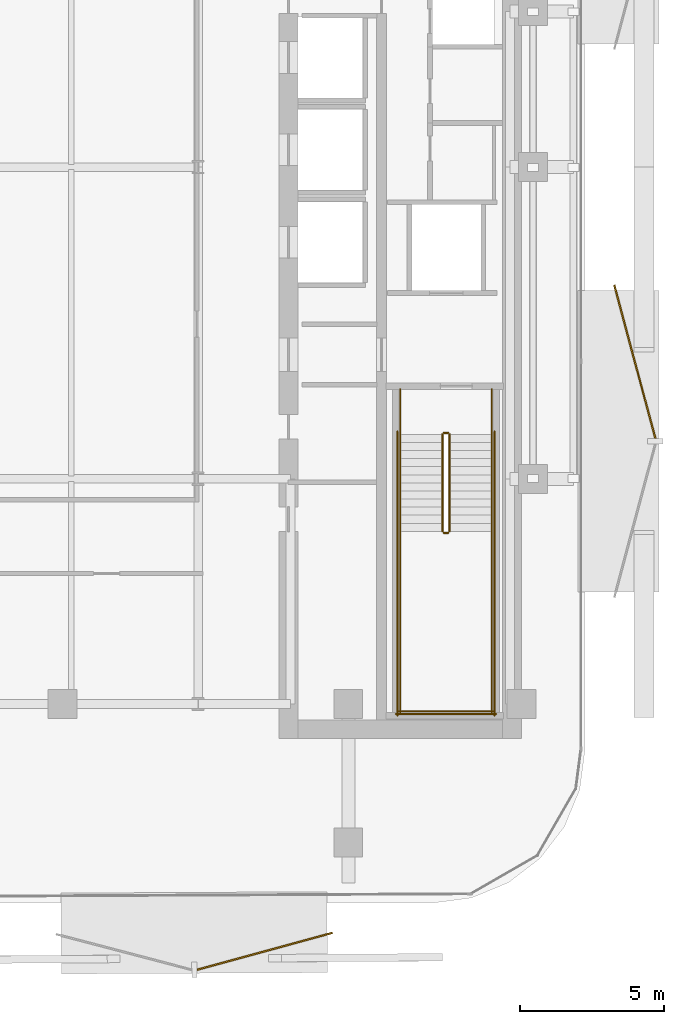
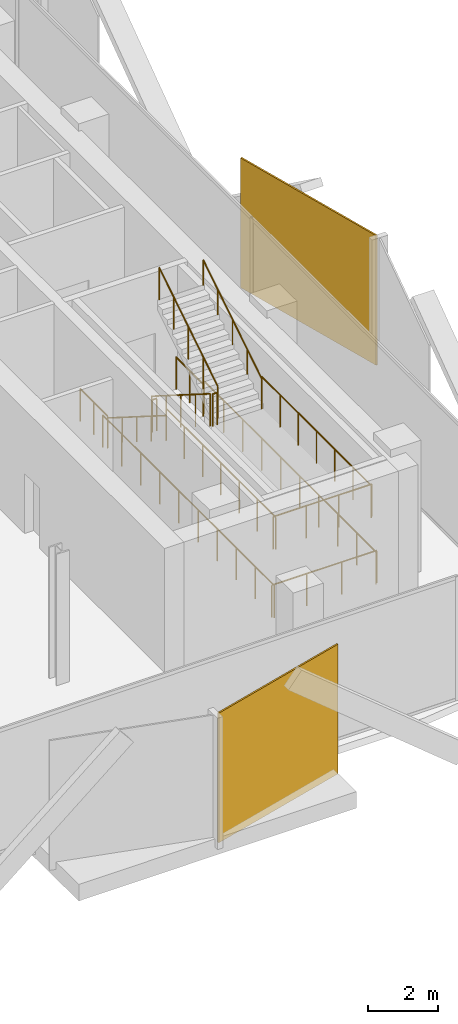
# One storey, part 12 of 14: 14 railings, 2 coverings.
"""IFC4 building model written with IfcOpenShell, lengths in metres."""

from ifc_helpers import new_model, si_unit, direction, frame, origin, origin_2d, place, context, subcontext, project, spatial, rectangle, circle, extrude, material, layer, layer_set, type_object, element, save


model = new_model("IFC4")

# Units and contexts
model_context = context("Model", 3, precision=1e-05, world=origin(), true_north=direction((0.0, 1.0)))
body_context = subcontext(model_context, "Body", "Model", "MODEL_VIEW")
ifc_project = project(units=[si_unit("LENGTHUNIT", "METRE"), si_unit("AREAUNIT", "SQUARE_METRE"), si_unit("VOLUMEUNIT", "CUBIC_METRE"), si_unit("PLANEANGLEUNIT", "RADIAN"), si_unit("MASSUNIT", "GRAM", prefix="KILO")], contexts=[model_context])

# Site, building, storey
site_placement = place(None, origin())
site = spatial("IfcSite", under=ifc_project, at=site_placement, CompositionType="ELEMENT")
building_placement = place(site_placement, origin())
building = spatial("IfcBuilding", under=site, at=building_placement, Name="Khairoan Windgate Tower", CompositionType="ELEMENT")
storey_placement = place(building_placement, frame((0.0, 0.0, 160.39990234375)))
storey = spatial("IfcBuildingStorey", under=building, at=storey_placement, Name="L36", CompositionType="ELEMENT", Elevation=160.39990234375)

# Coverings
ifc_material_1 = material(Name="Anodised Bronze Aluminium 6063-T6", Category="aluminium")
ifc_layer = layer(ifc_material_1, 0.054931640625, Name="Anodised Bronze Aluminium 6063-T6")
ifc_layer_set = layer_set([ifc_layer], Name="Anodised Bronze Aluminium 6063-T6")
covering_type = type_object("IfcCoveringType", Name="Perforated Bronze-Ceramic Folded Solar Screen Cladding BSC-1", PredefinedType="CLADDING", material=ifc_layer_set)
covering_1_placement = place(storey_placement, frame((11.5009765625, -27.169189453125, -0.099853515625), z_axis=(0.0, 0.0, 1.0), x_axis=(-0.964649468762, -0.263536339841, 0.0)))
element("IfcCovering", 1, at=covering_1_placement, inside=storey, type_object=covering_type, Name="L36 Folded Bronze Solar Screen Facet 225L", PredefinedType="CLADDING", context=body_context, shape_type="SweptSolid", body=[
    extrude(rectangle(XDim=4.861083984375, YDim=0.054931640625, at=origin_2d()), origin(), (0.0, 0.0, 1.0), 4.5400390625),
])
covering_2_placement = place(storey_placement, frame((24.327392578125, -6.74560546875, -0.099853515625), z_axis=(0.0, 0.0, 1.0), x_axis=(0.258819045103, -0.965925826289, 0.0)))
element("IfcCovering", 2, at=covering_2_placement, inside=storey, type_object=covering_type, Name="L36 Folded Bronze Solar Screen Facet 232L", PredefinedType="CLADDING", context=body_context, shape_type="SweptSolid", body=[
    extrude(rectangle(XDim=5.507080078125, YDim=0.054931640625, at=origin_2d()), origin(), (0.0, 0.0, 1.0), 4.5400390625),
])

# Railings
ifc_material_2 = material(Name="Anodised Bronze Aluminium 6063-T6", Category="aluminium")
railing_type_1 = type_object("IfcRailingType", Name="Stair Wall Handrail SHR-900", PredefinedType="HANDRAIL", material=ifc_material_2)
railing_1_placement = place(storey_placement, frame((16.199951171875, -9.260009765625, 0.177001953125)))
element("IfcRailing", 3, at=railing_1_placement, inside=storey, type_object=railing_type_1, Name="L36 ST1 stair handrail 1", PredefinedType="HANDRAIL", context=body_context, shape_type="SweptSolid", body=[
    extrude(circle(Radius=0.02392578125, at=origin_2d()), frame((0.0, 0.0, 0.8759765625), z_axis=(0.0, -0.845389635667, 0.534150132366), x_axis=(1.0, 0.0, 0.0)), (0.0, 0.0, 1.0), 3.974609375),
    extrude(circle(Radius=0.02099609375, at=origin_2d()), origin(), (0.0, 0.0, 1.0), 0.851806640625),
    extrude(circle(Radius=0.02099609375, at=origin_2d()), frame((0.0, -0.840087890625, 0.53076171875)), (0.0, 0.0, 1.0), 0.851806640625),
    extrude(circle(Radius=0.02099609375, at=origin_2d()), frame((0.0, -1.68017578125, 1.0615234375)), (0.0, 0.0, 1.0), 0.851806640625),
    extrude(circle(Radius=0.02099609375, at=origin_2d()), frame((0.0, -2.52001953125, 1.59228515625)), (0.0, 0.0, 1.0), 0.851806640625),
    extrude(circle(Radius=0.02099609375, at=origin_2d()), frame((0.0, -3.360107421875, 2.123046875)), (0.0, 0.0, 1.0), 0.851806640625),
])
railing_2_placement = place(storey_placement, frame((19.3701171875, -12.6201171875, 2.47705078125)))
element("IfcRailing", 4, at=railing_2_placement, inside=storey, type_object=railing_type_1, Name="L36 ST1 stair handrail 2", PredefinedType="HANDRAIL", context=body_context, shape_type="SweptSolid", body=[
    extrude(circle(Radius=0.02392578125, at=origin_2d()), frame((0.0, 0.0, 0.8759765625), z_axis=(0.0, 0.845389635667, 0.534150132366), x_axis=(-1.0, 0.0, 0.0)), (0.0, 0.0, 1.0), 3.974609375),
    extrude(circle(Radius=0.02099609375, at=origin_2d()), origin(), (0.0, 0.0, 1.0), 0.851806640625),
    extrude(circle(Radius=0.02099609375, at=origin_2d()), frame((0.0, 0.840087890625, 0.53076171875)), (0.0, 0.0, 1.0), 0.851806640625),
    extrude(circle(Radius=0.02099609375, at=origin_2d()), frame((0.0, 1.68017578125, 1.0615234375)), (0.0, 0.0, 1.0), 0.851806640625),
    extrude(circle(Radius=0.02099609375, at=origin_2d()), frame((0.0, 2.52001953125, 1.59228515625)), (0.0, 0.0, 1.0), 0.851806640625),
    extrude(circle(Radius=0.02099609375, at=origin_2d()), frame((0.0, 3.360107421875, 2.123046875)), (0.0, 0.0, 1.0), 0.851806640625),
])
ifc_material_3 = material(Name="Steel S355", Category="steel")
railing_type_2 = type_object("IfcRailingType", Name="Stairwell Safety Guardrail SGR-1150", PredefinedType="GUARDRAIL", material=ifc_material_3)
railing_3_placement = place(storey_placement, frame((17.659912109375, -9.260009765625, 0.177001953125)))
element("IfcRailing", 5, at=railing_3_placement, inside=storey, type_object=railing_type_2, Name="L36 ST1 stair guard 1", PredefinedType="GUARDRAIL", context=body_context, shape_type="SweptSolid", body=[
    extrude(circle(Radius=0.02392578125, at=origin_2d()), frame((0.0, 0.0, 1.1259765625), z_axis=(0.0, -0.845389635667, 0.534150132366), x_axis=(1.0, 0.0, 0.0)), (0.0, 0.0, 1.0), 3.974609375),
    extrude(circle(Radius=0.02099609375, at=origin_2d()), origin(), (0.0, 0.0, 1.0), 1.101806640625),
    extrude(circle(Radius=0.02099609375, at=origin_2d()), frame((0.0, -0.840087890625, 0.53076171875)), (0.0, 0.0, 1.0), 1.101806640625),
    extrude(circle(Radius=0.02099609375, at=origin_2d()), frame((0.0, -1.68017578125, 1.0615234375)), (0.0, 0.0, 1.0), 1.101806640625),
    extrude(circle(Radius=0.02099609375, at=origin_2d()), frame((0.0, -2.52001953125, 1.59228515625)), (0.0, 0.0, 1.0), 1.101806640625),
    extrude(circle(Radius=0.02099609375, at=origin_2d()), frame((0.0, -3.360107421875, 2.123046875)), (0.0, 0.0, 1.0), 1.101806640625),
])
railing_4_placement = place(storey_placement, frame((17.7099609375, -12.669921875, 2.300048828125)))
element("IfcRailing", 6, at=railing_4_placement, inside=storey, type_object=railing_type_2, Name="L36 ST1 stair guard 2", PredefinedType="GUARDRAIL", context=body_context, shape_type="SweptSolid", body=[
    extrude(circle(Radius=0.02392578125, at=origin_2d()), frame((0.0, 0.0, 1.1259765625), z_axis=(1.0, 0.0, 0.0), x_axis=(0.0, 1.0, 0.0)), (0.0, 0.0, 1.0), 0.150146484375),
    extrude(circle(Radius=0.02099609375, at=origin_2d()), origin(), (0.0, 0.0, 1.0), 1.101806640625),
    extrude(circle(Radius=0.02099609375, at=origin_2d()), frame((0.150146484375, 0.0, 0.0)), (0.0, 0.0, 1.0), 1.101806640625),
])
for number, where, name in (
    (7, (16.199951171875, -12.6201171875, 2.300048828125), "L36 ST1 stair guard 3"),
    (8, (19.3701171875, -12.6201171875, 2.300048828125), "L36 ST1 stair guard 4"),
):
    element("IfcRailing", number, at=place(storey_placement, frame(where)), inside=storey, type_object=railing_type_2, Name=name, PredefinedType="GUARDRAIL", context=body_context, shape_type="SweptSolid", body=[
        extrude(circle(Radius=0.02392578125, at=origin_2d()), frame((0.0, 0.0, 1.1259765625), z_axis=(0.0, -1.0, 0.0), x_axis=(1.0, 0.0, 0.0)), (0.0, 0.0, 1.0), 6.27978515625),
        extrude(circle(Radius=0.02099609375, at=origin_2d()), origin(), (0.0, 0.0, 1.0), 1.101806640625),
        extrude(circle(Radius=0.02099609375, at=origin_2d()), frame((0.0, -1.046630859375, 0.0)), (0.0, 0.0, 1.0), 1.101806640625),
        extrude(circle(Radius=0.02099609375, at=origin_2d()), frame((0.0, -2.09326171875, 0.0)), (0.0, 0.0, 1.0), 1.101806640625),
        extrude(circle(Radius=0.02099609375, at=origin_2d()), frame((0.0, -3.139892578125, 0.0)), (0.0, 0.0, 1.0), 1.101806640625),
        extrude(circle(Radius=0.02099609375, at=origin_2d()), frame((0.0, -4.1865234375, 0.0)), (0.0, 0.0, 1.0), 1.101806640625),
        extrude(circle(Radius=0.02099609375, at=origin_2d()), frame((0.0, -5.233154296875, 0.0)), (0.0, 0.0, 1.0), 1.101806640625),
        extrude(circle(Radius=0.02099609375, at=origin_2d()), frame((0.0, -6.27978515625, 0.0)), (0.0, 0.0, 1.0), 1.101806640625),
    ])
railing_5_placement = place(storey_placement, frame((16.14990234375, -18.85009765625, 2.300048828125)))
element("IfcRailing", 9, at=railing_5_placement, inside=storey, type_object=railing_type_2, Name="L36 ST1 stair guard 5", PredefinedType="GUARDRAIL", context=body_context, shape_type="SweptSolid", body=[
    extrude(circle(Radius=0.02392578125, at=origin_2d()), frame((0.0, 0.0, 1.1259765625), z_axis=(1.0, 0.0, 0.0), x_axis=(0.0, 1.0, 0.0)), (0.0, 0.0, 1.0), 3.27001953125),
    extrude(circle(Radius=0.02099609375, at=origin_2d()), origin(), (0.0, 0.0, 1.0), 1.101806640625),
    extrude(circle(Radius=0.02099609375, at=origin_2d()), frame((1.090087890625, 0.0, 0.0)), (0.0, 0.0, 1.0), 1.101806640625),
    extrude(circle(Radius=0.02099609375, at=origin_2d()), frame((2.179931640625, 0.0, 0.0)), (0.0, 0.0, 1.0), 1.101806640625),
    extrude(circle(Radius=0.02099609375, at=origin_2d()), frame((3.27001953125, 0.0, 0.0)), (0.0, 0.0, 1.0), 1.101806640625),
])
railing_6_placement = place(storey_placement, frame((17.909912109375, -12.6201171875, 2.47705078125)))
element("IfcRailing", 10, at=railing_6_placement, inside=storey, type_object=railing_type_2, Name="L36 ST1 stair guard 6", PredefinedType="GUARDRAIL", context=body_context, shape_type="SweptSolid", body=[
    extrude(circle(Radius=0.02392578125, at=origin_2d()), frame((0.0, 0.0, 1.1259765625), z_axis=(0.0, 0.845389635667, 0.534150132366), x_axis=(-1.0, 0.0, 0.0)), (0.0, 0.0, 1.0), 3.974609375),
    extrude(circle(Radius=0.02099609375, at=origin_2d()), origin(), (0.0, 0.0, 1.0), 1.101806640625),
    extrude(circle(Radius=0.02099609375, at=origin_2d()), frame((0.0, 0.840087890625, 0.53076171875)), (0.0, 0.0, 1.0), 1.101806640625),
    extrude(circle(Radius=0.02099609375, at=origin_2d()), frame((0.0, 1.68017578125, 1.0615234375)), (0.0, 0.0, 1.0), 1.101806640625),
    extrude(circle(Radius=0.02099609375, at=origin_2d()), frame((0.0, 2.52001953125, 1.59228515625)), (0.0, 0.0, 1.0), 1.101806640625),
    extrude(circle(Radius=0.02099609375, at=origin_2d()), frame((0.0, 3.360107421875, 2.123046875)), (0.0, 0.0, 1.0), 1.101806640625),
])
railing_7_placement = place(storey_placement, frame((17.7099609375, -9.2099609375, 0.0)))
element("IfcRailing", 11, at=railing_7_placement, inside=storey, type_object=railing_type_2, Name="L36 ST1 stair guard 7", PredefinedType="GUARDRAIL", context=body_context, shape_type="SweptSolid", body=[
    extrude(circle(Radius=0.02392578125, at=origin_2d()), frame((0.0, 0.0, 1.1259765625), z_axis=(1.0, 0.0, 0.0), x_axis=(0.0, 1.0, 0.0)), (0.0, 0.0, 1.0), 0.150146484375),
    extrude(circle(Radius=0.02099609375, at=origin_2d()), origin(), (0.0, 0.0, 1.0), 1.101806640625),
    extrude(circle(Radius=0.02099609375, at=origin_2d()), frame((0.150146484375, 0.0, 0.0)), (0.0, 0.0, 1.0), 1.101806640625),
])
for number, where, name in (
    (12, (16.199951171875, -7.699951171875, 0.0), "L36 ST1 stair guard 8"),
    (13, (19.3701171875, -7.699951171875, 0.0), "L36 ST1 stair guard 9"),
):
    element("IfcRailing", number, at=place(storey_placement, frame(where)), inside=storey, type_object=railing_type_2, Name=name, PredefinedType="GUARDRAIL", context=body_context, shape_type="SweptSolid", body=[
        extrude(circle(Radius=0.02392578125, at=origin_2d()), frame((0.0, 0.0, 1.1259765625), z_axis=(0.0, -1.0, 0.0), x_axis=(1.0, 0.0, 0.0)), (0.0, 0.0, 1.0), 1.56005859375),
        extrude(circle(Radius=0.02099609375, at=origin_2d()), origin(), (0.0, 0.0, 1.0), 1.101806640625),
        extrude(circle(Radius=0.02099609375, at=origin_2d()), frame((0.0, -0.780029296875, 0.0)), (0.0, 0.0, 1.0), 1.101806640625),
        extrude(circle(Radius=0.02099609375, at=origin_2d()), frame((0.0, -1.56005859375, 0.0)), (0.0, 0.0, 1.0), 1.101806640625),
    ])
for number, where, name in (
    (14, (16.10009765625, -9.159912109375, 0.0), "L36 ST1 stair guard 10"),
    (15, (19.469970703125, -9.159912109375, 0.0), "L36 ST1 stair guard 11"),
):
    element("IfcRailing", number, at=place(storey_placement, frame(where)), inside=storey, type_object=railing_type_2, Name=name, PredefinedType="GUARDRAIL", context=body_context, shape_type="SweptSolid", body=[
        extrude(circle(Radius=0.02392578125, at=origin_2d()), frame((0.0, 0.0, 1.1259765625), z_axis=(0.0, -1.0, 0.0), x_axis=(1.0, 0.0, 0.0)), (0.0, 0.0, 1.0), 9.840087890625),
        extrude(circle(Radius=0.02099609375, at=origin_2d()), origin(), (0.0, 0.0, 1.0), 1.101806640625),
        extrude(circle(Radius=0.02099609375, at=origin_2d()), frame((0.0, -1.09326171875, 0.0)), (0.0, 0.0, 1.0), 1.101806640625),
        extrude(circle(Radius=0.02099609375, at=origin_2d()), frame((0.0, -2.186767578125, 0.0)), (0.0, 0.0, 1.0), 1.101806640625),
        extrude(circle(Radius=0.02099609375, at=origin_2d()), frame((0.0, -3.280029296875, 0.0)), (0.0, 0.0, 1.0), 1.101806640625),
        extrude(circle(Radius=0.02099609375, at=origin_2d()), frame((0.0, -4.373291015625, 0.0)), (0.0, 0.0, 1.0), 1.101806640625),
        extrude(circle(Radius=0.02099609375, at=origin_2d()), frame((0.0, -5.466796875, 0.0)), (0.0, 0.0, 1.0), 1.101806640625),
        extrude(circle(Radius=0.02099609375, at=origin_2d()), frame((0.0, -6.56005859375, 0.0)), (0.0, 0.0, 1.0), 1.101806640625),
        extrude(circle(Radius=0.02099609375, at=origin_2d()), frame((0.0, -7.6533203125, 0.0)), (0.0, 0.0, 1.0), 1.101806640625),
        extrude(circle(Radius=0.02099609375, at=origin_2d()), frame((0.0, -8.746826171875, 0.0)), (0.0, 0.0, 1.0), 1.101806640625),
        extrude(circle(Radius=0.02099609375, at=origin_2d()), frame((0.0, -9.840087890625, 0.0)), (0.0, 0.0, 1.0), 1.101806640625),
    ])
railing_8_placement = place(storey_placement, frame((16.050048828125, -18.949951171875, 0.0)))
element("IfcRailing", 16, at=railing_8_placement, inside=storey, type_object=railing_type_2, Name="L36 ST1 stair guard 12", PredefinedType="GUARDRAIL", context=body_context, shape_type="SweptSolid", body=[
    extrude(circle(Radius=0.02392578125, at=origin_2d()), frame((0.0, 0.0, 1.1259765625), z_axis=(1.0, 0.0, 0.0), x_axis=(0.0, 1.0, 0.0)), (0.0, 0.0, 1.0), 3.469970703125),
    extrude(circle(Radius=0.02099609375, at=origin_2d()), origin(), (0.0, 0.0, 1.0), 1.101806640625),
    extrude(circle(Radius=0.02099609375, at=origin_2d()), frame((1.15673828125, 0.0, 0.0)), (0.0, 0.0, 1.0), 1.101806640625),
    extrude(circle(Radius=0.02099609375, at=origin_2d()), frame((2.313232421875, 0.0, 0.0)), (0.0, 0.0, 1.0), 1.101806640625),
    extrude(circle(Radius=0.02099609375, at=origin_2d()), frame((3.469970703125, 0.0, 0.0)), (0.0, 0.0, 1.0), 1.101806640625),
])

save(model, "model.ifc")
